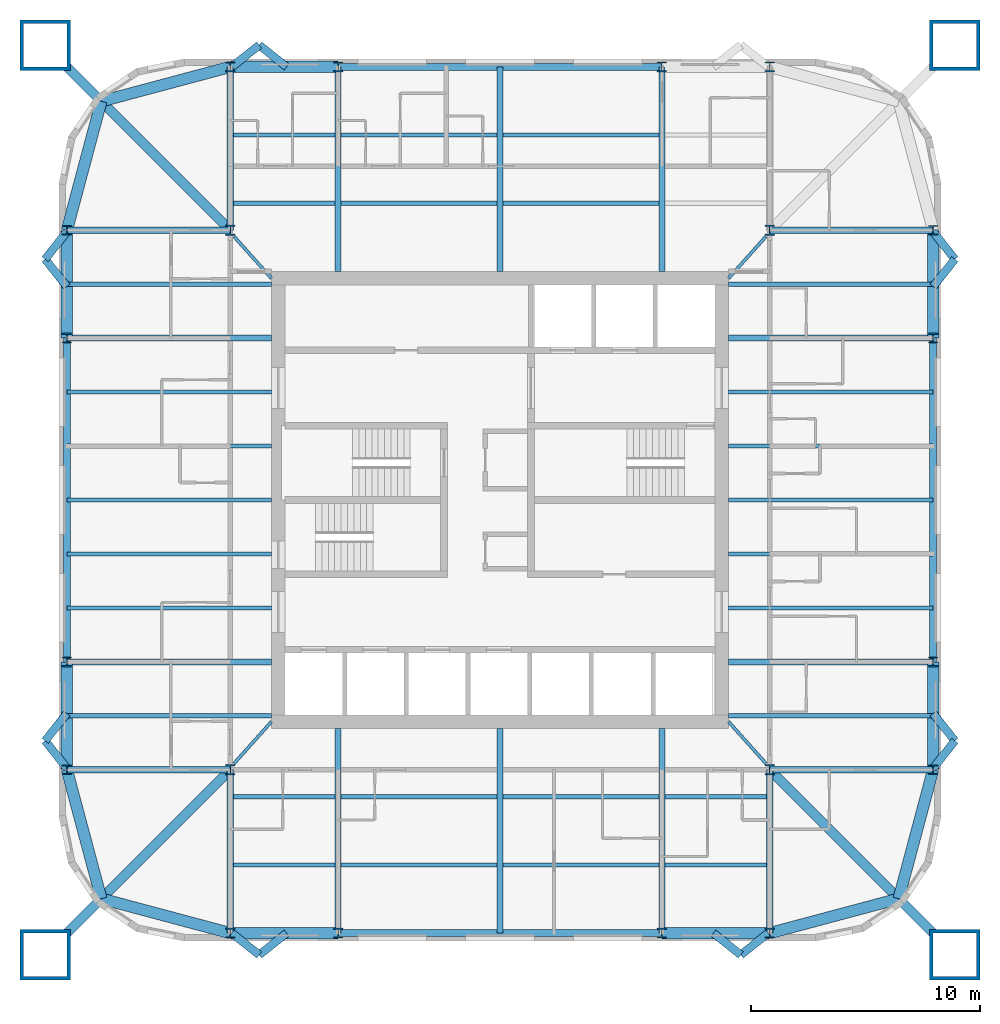
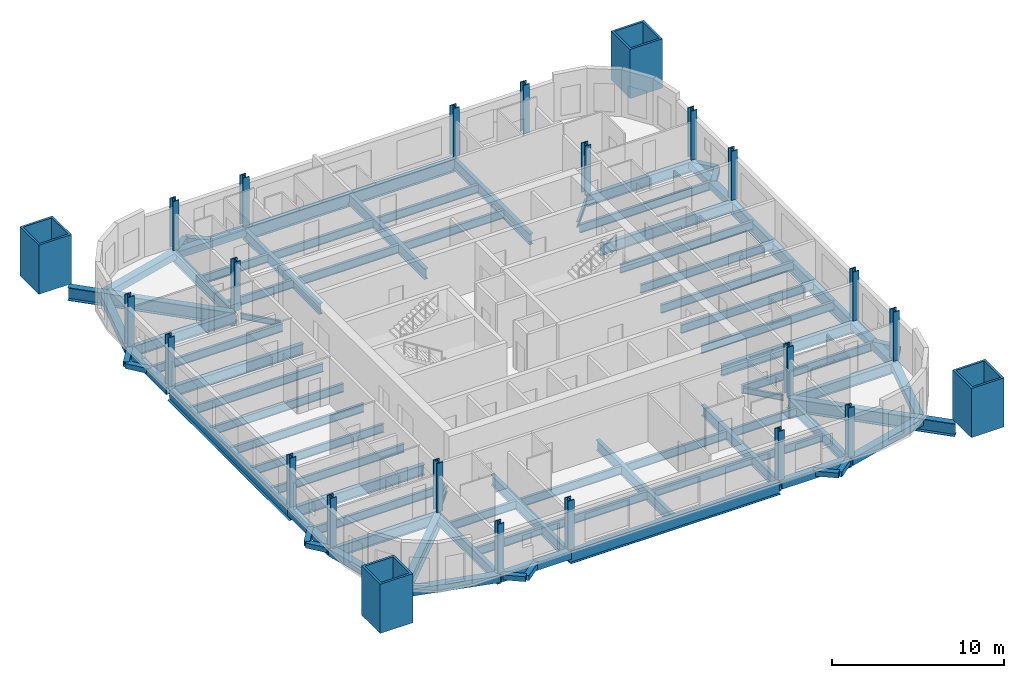
# One storey, part 1 of 9: 83 beams, 24 columns.
"""IFC4 building model written with IfcOpenShell, lengths in metres."""

from ifc_helpers import new_model, si_unit, direction, frame, origin, origin_2d, place, context, subcontext, project, spatial, hollow_rectangle, i_section, extrude, material, material_profile, profile_set, type_object, element, save


model = new_model("IFC4")

# Units and contexts
model_context = context("Model", 3, precision=1e-05, world=origin(), true_north=direction((0.0, 1.0)))
body_context = subcontext(model_context, "Body", "Model", "MODEL_VIEW")
ifc_project = project(units=[si_unit("LENGTHUNIT", "METRE"), si_unit("AREAUNIT", "SQUARE_METRE"), si_unit("VOLUMEUNIT", "CUBIC_METRE"), si_unit("PLANEANGLEUNIT", "RADIAN"), si_unit("MASSUNIT", "GRAM", prefix="KILO")], contexts=[model_context])

# Site, building, storey
site_placement = place(None, origin())
site = spatial("IfcSite", under=ifc_project, at=site_placement, CompositionType="ELEMENT")
building_placement = place(site_placement, origin())
building = spatial("IfcBuilding", under=site, at=building_placement, Name="Turquesa Mirador Hotel Tower", CompositionType="ELEMENT")
storey_placement = place(building_placement, frame((0.0, 0.0, 207.300048828125)))
storey = spatial("IfcBuildingStorey", under=building, at=storey_placement, Name="L56", CompositionType="ELEMENT", Elevation=207.300048828125)

# Columns
ifc_material_1 = material(Name="Steel ASTM A992 Grade 50", Category="steel")
ifc_material_profile_1 = material_profile(ifc_material_1, i_section(OverallWidth=0.411376953125, OverallDepth=0.434326171875, WebThickness=0.035888671875, FlangeThickness=0.057373046875, at=origin_2d()), Name="W14X311")
ifc_profile_set_1 = profile_set([ifc_material_profile_1], Name="Steel ASTM A992 Grade 50")
column_type_1 = type_object("IfcColumnType", Name="COLUMN W14X311", PredefinedType="COLUMN", material=ifc_profile_set_1)
for number, where, z_axis, x_axis, name in (
    (1, (36.050048828125, 33.199951171875, 0.0), (0.0, 0.0, 1.0), (1.0, 0.0, 0.0), "COL-L56-P--18.95--11.80"),
    (2, (36.050048828125, 37.919921875, 0.0), (0.0, 0.0, 1.0), (1.0, 0.0, 0.0), "COL-L56-P--18.95--7.08"),
    (3, (36.050048828125, 52.080078125, 0.0), (0.0, 0.0, 1.0), (1.0, 0.0, 0.0), "COL-L56-P--18.95-+7.08"),
    (4, (36.050048828125, 56.800048828125, 0.0), (0.0, 0.0, 1.0), (1.0, 0.0, 0.0), "COL-L56-P--18.95-+11.80"),
    (5, (43.199951171875, 26.050048828125, 0.0), (0.0, 0.0, 1.0), (1.0, 0.0, 0.0), "COL-L56-P--11.80--18.95"),
    (6, (43.199951171875, 63.949951171875, 0.0), (0.0, 0.0, 1.0), (1.0, 0.0, 0.0), "COL-L56-P--11.80-+18.95"),
    (7, (47.919921875, 26.050048828125, 0.0), (0.0, 0.0, 1.0), (1.0, 0.0, 0.0), "COL-L56-P--7.08--18.95"),
    (8, (47.919921875, 63.949951171875, 0.0), (0.0, 0.0, 1.0), (1.0, 0.0, 0.0), "COL-L56-P--7.08-+18.95"),
    (9, (62.080078125, 26.050048828125, 0.0), (0.0, 0.0, 1.0), (1.0, 0.0, 0.0), "COL-L56-P-+7.08--18.95"),
    (10, (62.080078125, 63.949951171875, 0.0), (0.0, 0.0, 1.0), (1.0, 0.0, 0.0), "COL-L56-P-+7.08-+18.95"),
    (11, (66.800048828125, 26.050048828125, 0.0), (0.0, 0.0, 1.0), (1.0, 0.0, 0.0), "COL-L56-P-+11.80--18.95"),
    (12, (66.800048828125, 63.949951171875, 0.0), (0.0, 0.0, 1.0), (1.0, 0.0, 0.0), "COL-L56-P-+11.80-+18.95"),
    (13, (73.949951171875, 33.199951171875, 0.0), (0.0, 0.0, 1.0), (1.0, 0.0, 0.0), "COL-L56-P-+18.95--11.80"),
    (14, (73.949951171875, 37.919921875, 0.0), (0.0, 0.0, 1.0), (1.0, 0.0, 0.0), "COL-L56-P-+18.95--7.08"),
    (15, (73.949951171875, 52.080078125, 0.0), (0.0, 0.0, 1.0), (1.0, 0.0, 0.0), "COL-L56-P-+18.95-+7.08"),
    (16, (73.949951171875, 56.800048828125, 0.0), (0.0, 0.0, 1.0), (1.0, 0.0, 0.0), "COL-L56-P-+18.95-+11.80"),
):
    element("IfcColumn", number, at=place(storey_placement, frame(where, z_axis=z_axis, x_axis=x_axis)), inside=storey, type_object=column_type_1, Name=name, PredefinedType="COLUMN", context=body_context, shape_type="SweptSolid", body=[
        extrude(i_section(OverallWidth=0.411376953125, OverallDepth=0.434326171875, WebThickness=0.035888671875, FlangeThickness=0.057373046875, at=origin_2d()), origin(), (0.0, 0.0, 1.0), 3.5),
    ])
ifc_material_2 = material(Name="Steel ASTM A992 Grade 50", Category="steel")
ifc_material_profile_2 = material_profile(ifc_material_2, i_section(OverallWidth=0.421630859375, OverallDepth=0.46484375, WebThickness=0.044921875, FlangeThickness=0.072509765625, at=origin_2d()), Name="W14X398")
ifc_profile_set_2 = profile_set([ifc_material_profile_2], Name="Steel ASTM A992 Grade 50")
column_type_2 = type_object("IfcColumnType", Name="COLUMN W14X398", PredefinedType="COLUMN", material=ifc_profile_set_2)
for number, where, z_axis, x_axis, name in (
    (17, (43.199951171875, 33.199951171875, 0.0), (0.0, 0.0, 1.0), (1.0, 0.0, 0.0), "COL-L56-K--11.80--11.80"),
    (18, (43.199951171875, 56.800048828125, 0.0), (0.0, 0.0, 1.0), (1.0, 0.0, 0.0), "COL-L56-K--11.80-+11.80"),
    (19, (66.800048828125, 33.199951171875, 0.0), (0.0, 0.0, 1.0), (1.0, 0.0, 0.0), "COL-L56-K-+11.80--11.80"),
    (20, (66.800048828125, 56.800048828125, 0.0), (0.0, 0.0, 1.0), (1.0, 0.0, 0.0), "COL-L56-K-+11.80-+11.80"),
):
    element("IfcColumn", number, at=place(storey_placement, frame(where, z_axis=z_axis, x_axis=x_axis)), inside=storey, type_object=column_type_2, Name=name, PredefinedType="COLUMN", context=body_context, shape_type="SweptSolid", body=[
        extrude(i_section(OverallWidth=0.421630859375, OverallDepth=0.46484375, WebThickness=0.044921875, FlangeThickness=0.072509765625, at=origin_2d()), origin(), (0.0, 0.0, 1.0), 3.5),
    ])
ifc_material_3 = material(Name="Steel ASTM A514 Grade Q", Category="steel")
ifc_material_profile_3 = material_profile(ifc_material_3, hollow_rectangle(XDim=2.199951171875, YDim=2.199951171875, WallThickness=0.14990234375, at=origin_2d()), Name="BOX2200X2200X150")
ifc_profile_set_3 = profile_set([ifc_material_profile_3], Name="Steel ASTM A514 Grade Q")
column_type_3 = type_object("IfcColumnType", Name="MEGA COLUMN BOX2200X2200X150", PredefinedType="COLUMN", material=ifc_profile_set_3)
for number, where, z_axis, x_axis, name in (
    (21, (74.89990234375, 64.89990234375, 0.0), (0.0, 0.0, 1.0), (1.0, 0.0, 0.0), "Mega column M1"),
    (22, (35.10009765625, 64.89990234375, 0.0), (0.0, 0.0, 1.0), (1.0, 0.0, 0.0), "Mega column M2"),
    (23, (35.10009765625, 25.10009765625, 0.0), (0.0, 0.0, 1.0), (1.0, 0.0, 0.0), "Mega column M3"),
    (24, (74.89990234375, 25.10009765625, 0.0), (0.0, 0.0, 1.0), (1.0, 0.0, 0.0), "Mega column M4"),
):
    element("IfcColumn", number, at=place(storey_placement, frame(where, z_axis=z_axis, x_axis=x_axis)), inside=storey, type_object=column_type_3, Name=name, PredefinedType="COLUMN", context=body_context, shape_type="SweptSolid", body=[
        extrude(hollow_rectangle(XDim=2.199951171875, YDim=2.199951171875, WallThickness=0.14990234375, at=origin_2d()), origin(), (0.0, 0.0, 1.0), 3.5),
    ])

# Beams
ifc_material_4 = material(Name="Steel ASTM A572 Grade 50", Category="steel")
ifc_material_profile_4 = material_profile(ifc_material_4, hollow_rectangle(XDim=0.5, YDim=0.5, WallThickness=0.01611328125, at=origin_2d()), Name="BOX500X500X16")
ifc_profile_set_4 = profile_set([ifc_material_profile_4], Name="Steel ASTM A572 Grade 50")
beam_type_1 = type_object("IfcBeamType", Name="BEAM BOX500X500X16", PredefinedType="BEAM", material=ifc_profile_set_4)
for number, where, z_axis, x_axis, name in (
    (25, (43.199951171875, 63.949951171875, -0.420166015625), (1.0, 0.0, 0.0), (0.0, 1.0, 0.0), "EB-L56-N-L"),
    (26, (43.199951171875, 26.050048828125, -0.420166015625), (1.0, 0.0, 0.0), (0.0, 1.0, 0.0), "EB-L56-S-L"),
    (27, (62.080078125, 26.050048828125, -0.420166015625), (1.0, 0.0, 0.0), (0.0, 1.0, 0.0), "EB-L56-S-R"),
    (28, (73.949951171875, 33.199951171875, -0.420166015625), (0.0, 1.0, 0.0), (-1.0, 0.0, 0.0), "EB-L56-E-L"),
    (29, (73.949951171875, 52.080078125, -0.420166015625), (0.0, 1.0, 0.0), (-1.0, 0.0, 0.0), "EB-L56-E-R"),
    (30, (36.050048828125, 33.199951171875, -0.420166015625), (0.0, 1.0, 0.0), (-1.0, 0.0, 0.0), "EB-L56-W-L"),
    (31, (36.050048828125, 52.080078125, -0.420166015625), (0.0, 1.0, 0.0), (-1.0, 0.0, 0.0), "EB-L56-W-R"),
):
    element("IfcBeam", number, at=place(storey_placement, frame(where, z_axis=z_axis, x_axis=x_axis)), inside=storey, type_object=beam_type_1, Name=name, PredefinedType="BEAM", context=body_context, shape_type="SweptSolid", body=[
        extrude(hollow_rectangle(XDim=0.5, YDim=0.5, WallThickness=0.01611328125, at=origin_2d()), origin(), (0.0, 0.0, 1.0), 4.719970703125),
    ])
for number, where, z_axis, x_axis, name in (
    (32, (36.050048828125, 56.800048828125, -0.420166015625), (0.258281892145, 0.966069595935, 0.0), (-0.966069595935, 0.258281892145, 0.0), "KE-L56-2-0"),
    (33, (37.558349609375, 62.441650390625, -0.420166015625), (0.966069595935, 0.258281892145, 0.0), (-0.258281892145, 0.966069595935, 0.0), "KE-L56-2-1"),
    (34, (36.050048828125, 33.199951171875, -0.420166015625), (0.258281892145, -0.966069595935, 0.0), (0.966069595935, 0.258281892145, 0.0), "KE-L56-3-0"),
    (35, (37.558349609375, 27.558349609375, -0.420166015625), (0.966069595935, -0.258281892145, 0.0), (0.258281892145, 0.966069595935, 0.0), "KE-L56-3-1"),
    (36, (73.949951171875, 33.199951171875, -0.420166015625), (-0.258281892145, -0.966069595935, 0.0), (0.966069595935, -0.258281892145, 0.0), "KE-L56-4-0"),
    (37, (72.441650390625, 27.558349609375, -0.420166015625), (-0.966069595935, -0.258281892145, 0.0), (0.258281892145, -0.966069595935, 0.0), "KE-L56-4-1"),
):
    element("IfcBeam", number, at=place(storey_placement, frame(where, z_axis=z_axis, x_axis=x_axis)), inside=storey, type_object=beam_type_1, Name=name, PredefinedType="BEAM", context=body_context, shape_type="SweptSolid", body=[
        extrude(hollow_rectangle(XDim=0.5, YDim=0.5, WallThickness=0.01611328125, at=origin_2d()), origin(), (0.0, 0.0, 1.0), 5.83984375),
    ])
ifc_material_5 = material(Name="Steel ASTM A992 Grade 50", Category="steel")
ifc_material_profile_5 = material_profile(ifc_material_5, i_section(OverallWidth=0.140380859375, OverallDepth=0.40380859375, WebThickness=0.007080078125, FlangeThickness=0.01123046875, at=origin_2d()), Name="W16X31")
ifc_profile_set_5 = profile_set([ifc_material_profile_5], Name="Steel ASTM A992 Grade 50")
beam_type_2 = type_object("IfcBeamType", Name="BEAM W16X31", PredefinedType="BEAM", material=ifc_profile_set_5)
for number, where, z_axis, x_axis, name in (
    (38, (66.634765625, 56.527099609375, -0.3720703125), (-0.666783216266, -0.745251730964, 0.0), (0.745251730964, -0.666783216266, 0.0), "KT-L56-1"),
    (39, (43.365234375, 56.527099609375, -0.3720703125), (0.666783216266, -0.745251730964, 0.0), (0.745251730964, 0.666783216266, 0.0), "KT-L56-2"),
    (40, (43.365234375, 33.472900390625, -0.3720703125), (0.666783216266, 0.745251730964, 0.0), (-0.745251730964, 0.666783216266, 0.0), "KT-L56-3"),
    (41, (66.634765625, 33.472900390625, -0.3720703125), (-0.666783216266, 0.745251730964, 0.0), (-0.745251730964, -0.666783216266, 0.0), "KT-L56-4"),
):
    element("IfcBeam", number, at=place(storey_placement, frame(where, z_axis=z_axis, x_axis=x_axis)), inside=storey, type_object=beam_type_2, Name=name, PredefinedType="BEAM", context=body_context, shape_type="SweptSolid", body=[
        extrude(i_section(OverallWidth=0.140380859375, OverallDepth=0.40380859375, WebThickness=0.007080078125, FlangeThickness=0.01123046875, at=origin_2d()), origin(), (0.0, 0.0, 1.0), 2.45166015625),
    ])
ifc_material_6 = material(Name="Steel ASTM A992 Grade 50", Category="steel")
ifc_material_profile_6 = material_profile(ifc_material_6, i_section(OverallWidth=0.177978515625, OverallDepth=0.599365234375, WebThickness=0.010009765625, FlangeThickness=0.012939453125, at=origin_2d()), Name="W24X55")
ifc_profile_set_6 = profile_set([ifc_material_profile_6], Name="Steel ASTM A992 Grade 50")
beam_type_3 = type_object("IfcBeamType", Name="BEAM W24X55", PredefinedType="BEAM", material=ifc_profile_set_6)
beam_1_placement = place(storey_placement, frame((43.333251953125, 57.98291015625, -0.4697265625), z_axis=(1.0, 0.0, 0.0), x_axis=(0.0, 1.0, 0.0)))
element("IfcBeam", 42, at=beam_1_placement, inside=storey, type_object=beam_type_3, Name="IB-L56-N-1-0", PredefinedType="BEAM", context=body_context, shape_type="SweptSolid", body=[
    extrude(i_section(OverallWidth=0.177978515625, OverallDepth=0.599365234375, WebThickness=0.010009765625, FlangeThickness=0.012939453125, at=origin_2d()), origin(), (0.0, 0.0, 1.0), 4.453369140625),
])
for number, where, z_axis, x_axis, name in (
    (43, (48.053466796875, 57.98291015625, -0.4697265625), (1.0, 0.0, 0.0), (0.0, 1.0, 0.0), "IB-L56-N-1-1"),
    (44, (55.13330078125, 57.98291015625, -0.4697265625), (1.0, 0.0, 0.0), (0.0, 1.0, 0.0), "IB-L56-N-1-2"),
):
    element("IfcBeam", number, at=place(storey_placement, frame(where, z_axis=z_axis, x_axis=x_axis)), inside=storey, type_object=beam_type_3, Name=name, PredefinedType="BEAM", context=body_context, shape_type="SweptSolid", body=[
        extrude(i_section(OverallWidth=0.177978515625, OverallDepth=0.599365234375, WebThickness=0.010009765625, FlangeThickness=0.012939453125, at=origin_2d()), origin(), (0.0, 0.0, 1.0), 6.813232421875),
    ])
beam_2_placement = place(storey_placement, frame((43.333251953125, 60.967041015625, -0.4697265625), z_axis=(1.0, 0.0, 0.0), x_axis=(0.0, 1.0, 0.0)))
element("IfcBeam", 45, at=beam_2_placement, inside=storey, type_object=beam_type_3, Name="IB-L56-N-2-0", PredefinedType="BEAM", context=body_context, shape_type="SweptSolid", body=[
    extrude(i_section(OverallWidth=0.177978515625, OverallDepth=0.599365234375, WebThickness=0.010009765625, FlangeThickness=0.012939453125, at=origin_2d()), origin(), (0.0, 0.0, 1.0), 4.453369140625),
])
for number, where, z_axis, x_axis, name in (
    (46, (48.053466796875, 60.967041015625, -0.4697265625), (1.0, 0.0, 0.0), (0.0, 1.0, 0.0), "IB-L56-N-2-1"),
    (47, (55.13330078125, 60.967041015625, -0.4697265625), (1.0, 0.0, 0.0), (0.0, 1.0, 0.0), "IB-L56-N-2-2"),
):
    element("IfcBeam", number, at=place(storey_placement, frame(where, z_axis=z_axis, x_axis=x_axis)), inside=storey, type_object=beam_type_3, Name=name, PredefinedType="BEAM", context=body_context, shape_type="SweptSolid", body=[
        extrude(i_section(OverallWidth=0.177978515625, OverallDepth=0.599365234375, WebThickness=0.010009765625, FlangeThickness=0.012939453125, at=origin_2d()), origin(), (0.0, 0.0, 1.0), 6.813232421875),
    ])
beam_3_placement = place(storey_placement, frame((43.333251953125, 32.01708984375, -0.4697265625), z_axis=(1.0, 0.0, 0.0), x_axis=(0.0, 1.0, 0.0)))
element("IfcBeam", 48, at=beam_3_placement, inside=storey, type_object=beam_type_3, Name="IB-L56-S-1-0", PredefinedType="BEAM", context=body_context, shape_type="SweptSolid", body=[
    extrude(i_section(OverallWidth=0.177978515625, OverallDepth=0.599365234375, WebThickness=0.010009765625, FlangeThickness=0.012939453125, at=origin_2d()), origin(), (0.0, 0.0, 1.0), 4.453369140625),
])
for number, where, z_axis, x_axis, name in (
    (49, (48.053466796875, 32.01708984375, -0.4697265625), (1.0, 0.0, 0.0), (0.0, 1.0, 0.0), "IB-L56-S-1-1"),
    (50, (55.13330078125, 32.01708984375, -0.4697265625), (1.0, 0.0, 0.0), (0.0, 1.0, 0.0), "IB-L56-S-1-2"),
):
    element("IfcBeam", number, at=place(storey_placement, frame(where, z_axis=z_axis, x_axis=x_axis)), inside=storey, type_object=beam_type_3, Name=name, PredefinedType="BEAM", context=body_context, shape_type="SweptSolid", body=[
        extrude(i_section(OverallWidth=0.177978515625, OverallDepth=0.599365234375, WebThickness=0.010009765625, FlangeThickness=0.012939453125, at=origin_2d()), origin(), (0.0, 0.0, 1.0), 6.813232421875),
    ])
for number, where, z_axis, x_axis, name in (
    (51, (62.21337890625, 32.01708984375, -0.4697265625), (1.0, 0.0, 0.0), (0.0, 1.0, 0.0), "IB-L56-S-1-3"),
    (52, (43.333251953125, 29.032958984375, -0.4697265625), (1.0, 0.0, 0.0), (0.0, 1.0, 0.0), "IB-L56-S-2-0"),
):
    element("IfcBeam", number, at=place(storey_placement, frame(where, z_axis=z_axis, x_axis=x_axis)), inside=storey, type_object=beam_type_3, Name=name, PredefinedType="BEAM", context=body_context, shape_type="SweptSolid", body=[
        extrude(i_section(OverallWidth=0.177978515625, OverallDepth=0.599365234375, WebThickness=0.010009765625, FlangeThickness=0.012939453125, at=origin_2d()), origin(), (0.0, 0.0, 1.0), 4.453369140625),
    ])
for number, where, z_axis, x_axis, name in (
    (53, (48.053466796875, 29.032958984375, -0.4697265625), (1.0, 0.0, 0.0), (0.0, 1.0, 0.0), "IB-L56-S-2-1"),
    (54, (55.13330078125, 29.032958984375, -0.4697265625), (1.0, 0.0, 0.0), (0.0, 1.0, 0.0), "IB-L56-S-2-2"),
):
    element("IfcBeam", number, at=place(storey_placement, frame(where, z_axis=z_axis, x_axis=x_axis)), inside=storey, type_object=beam_type_3, Name=name, PredefinedType="BEAM", context=body_context, shape_type="SweptSolid", body=[
        extrude(i_section(OverallWidth=0.177978515625, OverallDepth=0.599365234375, WebThickness=0.010009765625, FlangeThickness=0.012939453125, at=origin_2d()), origin(), (0.0, 0.0, 1.0), 6.813232421875),
    ])
beam_4_placement = place(storey_placement, frame((62.21337890625, 29.032958984375, -0.4697265625), z_axis=(1.0, 0.0, 0.0), x_axis=(0.0, 1.0, 0.0)))
element("IfcBeam", 55, at=beam_4_placement, inside=storey, type_object=beam_type_3, Name="IB-L56-S-2-3", PredefinedType="BEAM", context=body_context, shape_type="SweptSolid", body=[
    extrude(i_section(OverallWidth=0.177978515625, OverallDepth=0.599365234375, WebThickness=0.010009765625, FlangeThickness=0.012939453125, at=origin_2d()), origin(), (0.0, 0.0, 1.0), 4.453369140625),
])
for number, where, z_axis, x_axis, name in (
    (56, (73.949951171875, 35.56005859375, -0.4697265625), (-1.0, 0.0, 0.0), (0.0, -1.0, 0.0), "BM-L56-E--9.44"),
    (57, (73.949951171875, 40.280029296875, -0.4697265625), (-1.0, 0.0, 0.0), (0.0, -1.0, 0.0), "BM-L56-E--4.72"),
    (58, (73.949951171875, 42.639892578125, -0.4697265625), (-1.0, 0.0, 0.0), (0.0, -1.0, 0.0), "BM-L56-E--2.36"),
    (59, (73.949951171875, 45.0, -0.4697265625), (-1.0, 0.0, 0.0), (0.0, -1.0, 0.0), "BM-L56-E-+0.00"),
    (60, (73.949951171875, 47.360107421875, -0.4697265625), (-1.0, 0.0, 0.0), (0.0, -1.0, 0.0), "BM-L56-E-+2.36"),
    (61, (73.949951171875, 49.719970703125, -0.4697265625), (-1.0, 0.0, 0.0), (0.0, -1.0, 0.0), "BM-L56-E-+4.72"),
    (62, (73.949951171875, 54.43994140625, -0.4697265625), (-1.0, 0.0, 0.0), (0.0, -1.0, 0.0), "BM-L56-E-+9.44"),
    (63, (36.050048828125, 35.56005859375, -0.4697265625), (1.0, 0.0, 0.0), (0.0, 1.0, 0.0), "BM-L56-W--9.44"),
    (64, (36.050048828125, 40.280029296875, -0.4697265625), (1.0, 0.0, 0.0), (0.0, 1.0, 0.0), "BM-L56-W--4.72"),
    (65, (36.050048828125, 42.639892578125, -0.4697265625), (1.0, 0.0, 0.0), (0.0, 1.0, 0.0), "BM-L56-W--2.36"),
    (66, (36.050048828125, 45.0, -0.4697265625), (1.0, 0.0, 0.0), (0.0, 1.0, 0.0), "BM-L56-W-+0.00"),
    (67, (36.050048828125, 47.360107421875, -0.4697265625), (1.0, 0.0, 0.0), (0.0, 1.0, 0.0), "BM-L56-W-+2.36"),
    (68, (36.050048828125, 49.719970703125, -0.4697265625), (1.0, 0.0, 0.0), (0.0, 1.0, 0.0), "BM-L56-W-+4.72"),
    (69, (36.050048828125, 54.43994140625, -0.4697265625), (1.0, 0.0, 0.0), (0.0, 1.0, 0.0), "BM-L56-W-+9.44"),
):
    element("IfcBeam", number, at=place(storey_placement, frame(where, z_axis=z_axis, x_axis=x_axis)), inside=storey, type_object=beam_type_3, Name=name, PredefinedType="BEAM", context=body_context, shape_type="SweptSolid", body=[
        extrude(i_section(OverallWidth=0.177978515625, OverallDepth=0.599365234375, WebThickness=0.010009765625, FlangeThickness=0.012939453125, at=origin_2d()), origin(), (0.0, 0.0, 1.0), 8.949951171875),
    ])
ifc_material_7 = material(Name="Steel ASTM A992 Grade 50", Category="steel")
ifc_material_profile_7 = material_profile(ifc_material_7, i_section(OverallWidth=0.2666015625, OverallDepth=0.7568359375, WebThickness=0.013916015625, FlangeThickness=0.019287109375, at=origin_2d()), Name="W30X108")
ifc_profile_set_7 = profile_set([ifc_material_profile_7], Name="Steel ASTM A992 Grade 50")
beam_type_4 = type_object("IfcBeamType", Name="BEAM W30X108", PredefinedType="BEAM", material=ifc_profile_set_7)
for number, where, z_axis, x_axis, name in (
    (70, (47.919921875, 63.949951171875, -0.548583984375), (0.0, -1.0, 0.0), (1.0, 0.0, 0.0), "GD-L56-N--7.08"),
    (71, (62.080078125, 63.949951171875, -0.548583984375), (0.0, -1.0, 0.0), (1.0, 0.0, 0.0), "GD-L56-N-+7.08"),
    (72, (55.0, 63.949951171875, -0.548583984375), (0.0, -1.0, 0.0), (1.0, 0.0, 0.0), "GD-L56-N-+0.00"),
):
    element("IfcBeam", number, at=place(storey_placement, frame(where, z_axis=z_axis, x_axis=x_axis)), inside=storey, type_object=beam_type_4, Name=name, PredefinedType="BEAM", context=body_context, shape_type="SweptSolid", body=[
        extrude(i_section(OverallWidth=0.2666015625, OverallDepth=0.7568359375, WebThickness=0.013916015625, FlangeThickness=0.019287109375, at=origin_2d()), origin(), (0.0, 0.0, 1.0), 8.949951171875),
    ])
beam_5_placement = place(storey_placement, frame((43.199951171875, 63.949951171875, -0.548583984375), z_axis=(0.0, -1.0, 0.0), x_axis=(1.0, 0.0, 0.0)))
element("IfcBeam", 73, at=beam_5_placement, inside=storey, type_object=beam_type_4, Name="GK-L56-N--11.80", PredefinedType="BEAM", context=body_context, shape_type="SweptSolid", body=[
    extrude(i_section(OverallWidth=0.2666015625, OverallDepth=0.7568359375, WebThickness=0.013916015625, FlangeThickness=0.019287109375, at=origin_2d()), origin(), (0.0, 0.0, 1.0), 7.14990234375),
])
for number, where, z_axis, x_axis, name in (
    (74, (47.919921875, 26.050048828125, -0.548583984375), (0.0, 1.0, 0.0), (-1.0, 0.0, 0.0), "GD-L56-S--7.08"),
    (75, (62.080078125, 26.050048828125, -0.548583984375), (0.0, 1.0, 0.0), (-1.0, 0.0, 0.0), "GD-L56-S-+7.08"),
    (76, (55.0, 26.050048828125, -0.548583984375), (0.0, 1.0, 0.0), (-1.0, 0.0, 0.0), "GD-L56-S-+0.00"),
):
    element("IfcBeam", number, at=place(storey_placement, frame(where, z_axis=z_axis, x_axis=x_axis)), inside=storey, type_object=beam_type_4, Name=name, PredefinedType="BEAM", context=body_context, shape_type="SweptSolid", body=[
        extrude(i_section(OverallWidth=0.2666015625, OverallDepth=0.7568359375, WebThickness=0.013916015625, FlangeThickness=0.019287109375, at=origin_2d()), origin(), (0.0, 0.0, 1.0), 8.949951171875),
    ])
for number, where, z_axis, x_axis, name in (
    (77, (43.199951171875, 26.050048828125, -0.548583984375), (0.0, 1.0, 0.0), (-1.0, 0.0, 0.0), "GK-L56-S--11.80"),
    (78, (66.800048828125, 26.050048828125, -0.548583984375), (0.0, 1.0, 0.0), (-1.0, 0.0, 0.0), "GK-L56-S-+11.80"),
):
    element("IfcBeam", number, at=place(storey_placement, frame(where, z_axis=z_axis, x_axis=x_axis)), inside=storey, type_object=beam_type_4, Name=name, PredefinedType="BEAM", context=body_context, shape_type="SweptSolid", body=[
        extrude(i_section(OverallWidth=0.2666015625, OverallDepth=0.7568359375, WebThickness=0.013916015625, FlangeThickness=0.019287109375, at=origin_2d()), origin(), (0.0, 0.0, 1.0), 7.14990234375),
    ])
for number, where, z_axis, x_axis, name in (
    (79, (73.949951171875, 37.919921875, -0.548583984375), (-1.0, 0.0, 0.0), (0.0, -1.0, 0.0), "GD-L56-E--7.08"),
    (80, (73.949951171875, 52.080078125, -0.548583984375), (-1.0, 0.0, 0.0), (0.0, -1.0, 0.0), "GD-L56-E-+7.08"),
):
    element("IfcBeam", number, at=place(storey_placement, frame(where, z_axis=z_axis, x_axis=x_axis)), inside=storey, type_object=beam_type_4, Name=name, PredefinedType="BEAM", context=body_context, shape_type="SweptSolid", body=[
        extrude(i_section(OverallWidth=0.2666015625, OverallDepth=0.7568359375, WebThickness=0.013916015625, FlangeThickness=0.019287109375, at=origin_2d()), origin(), (0.0, 0.0, 1.0), 8.949951171875),
    ])
for number, where, z_axis, x_axis, name in (
    (81, (73.949951171875, 33.199951171875, -0.548583984375), (-1.0, 0.0, 0.0), (0.0, -1.0, 0.0), "GK-L56-E--11.80"),
    (82, (73.949951171875, 56.800048828125, -0.548583984375), (-1.0, 0.0, 0.0), (0.0, -1.0, 0.0), "GK-L56-E-+11.80"),
):
    element("IfcBeam", number, at=place(storey_placement, frame(where, z_axis=z_axis, x_axis=x_axis)), inside=storey, type_object=beam_type_4, Name=name, PredefinedType="BEAM", context=body_context, shape_type="SweptSolid", body=[
        extrude(i_section(OverallWidth=0.2666015625, OverallDepth=0.7568359375, WebThickness=0.013916015625, FlangeThickness=0.019287109375, at=origin_2d()), origin(), (0.0, 0.0, 1.0), 7.14990234375),
    ])
for number, where, z_axis, x_axis, name in (
    (83, (36.050048828125, 37.919921875, -0.548583984375), (1.0, 0.0, 0.0), (0.0, 1.0, 0.0), "GD-L56-W--7.08"),
    (84, (36.050048828125, 52.080078125, -0.548583984375), (1.0, 0.0, 0.0), (0.0, 1.0, 0.0), "GD-L56-W-+7.08"),
):
    element("IfcBeam", number, at=place(storey_placement, frame(where, z_axis=z_axis, x_axis=x_axis)), inside=storey, type_object=beam_type_4, Name=name, PredefinedType="BEAM", context=body_context, shape_type="SweptSolid", body=[
        extrude(i_section(OverallWidth=0.2666015625, OverallDepth=0.7568359375, WebThickness=0.013916015625, FlangeThickness=0.019287109375, at=origin_2d()), origin(), (0.0, 0.0, 1.0), 8.949951171875),
    ])
for number, where, z_axis, x_axis, name in (
    (85, (36.050048828125, 33.199951171875, -0.548583984375), (1.0, 0.0, 0.0), (0.0, 1.0, 0.0), "GK-L56-W--11.80"),
    (86, (36.050048828125, 56.800048828125, -0.548583984375), (1.0, 0.0, 0.0), (0.0, 1.0, 0.0), "GK-L56-W-+11.80"),
):
    element("IfcBeam", number, at=place(storey_placement, frame(where, z_axis=z_axis, x_axis=x_axis)), inside=storey, type_object=beam_type_4, Name=name, PredefinedType="BEAM", context=body_context, shape_type="SweptSolid", body=[
        extrude(i_section(OverallWidth=0.2666015625, OverallDepth=0.7568359375, WebThickness=0.013916015625, FlangeThickness=0.019287109375, at=origin_2d()), origin(), (0.0, 0.0, 1.0), 7.14990234375),
    ])
ifc_material_8 = material(Name="Steel ASTM A992 Grade 50", Category="steel")
ifc_material_profile_8 = material_profile(ifc_material_8, i_section(OverallWidth=0.3046875, OverallDepth=0.911865234375, WebThickness=0.015869140625, FlangeThickness=0.02392578125, at=origin_2d()), Name="W36X150")
ifc_profile_set_8 = profile_set([ifc_material_profile_8], Name="Steel ASTM A992 Grade 50")
beam_type_5 = type_object("IfcBeamType", Name="BEAM W36X150", PredefinedType="BEAM", material=ifc_profile_set_8)
for number, where, z_axis, x_axis, name in (
    (87, (47.919921875, 63.949951171875, -0.6259765625), (1.0, 0.0, 0.0), (0.0, 1.0, 0.0), "EB-L56-N-C"),
    (88, (47.919921875, 26.050048828125, -0.6259765625), (1.0, 0.0, 0.0), (0.0, 1.0, 0.0), "EB-L56-S-C"),
    (89, (73.949951171875, 37.919921875, -0.6259765625), (0.0, 1.0, 0.0), (-1.0, 0.0, 0.0), "EB-L56-E-C"),
    (90, (36.050048828125, 37.919921875, -0.6259765625), (0.0, 1.0, 0.0), (-1.0, 0.0, 0.0), "EB-L56-W-C"),
):
    element("IfcBeam", number, at=place(storey_placement, frame(where, z_axis=z_axis, x_axis=x_axis)), inside=storey, type_object=beam_type_5, Name=name, PredefinedType="BEAM", context=body_context, shape_type="SweptSolid", body=[
        extrude(i_section(OverallWidth=0.3046875, OverallDepth=0.911865234375, WebThickness=0.015869140625, FlangeThickness=0.02392578125, at=origin_2d()), origin(), (0.0, 0.0, 1.0), 14.16015625),
    ])
ifc_material_9 = material(Name="Steel ASTM A992 Grade 50", Category="steel")
ifc_material_profile_9 = material_profile(ifc_material_9, i_section(OverallWidth=0.419189453125, OverallDepth=0.927001953125, WebThickness=0.019287109375, FlangeThickness=0.031982421875, at=origin_2d()), Name="W36X231")
ifc_profile_set_9 = profile_set([ifc_material_profile_9], Name="Steel ASTM A992 Grade 50")
beam_type_6 = type_object("IfcBeamType", Name="BEAM W36X231", PredefinedType="BEAM", material=ifc_profile_set_9)
for number, where, z_axis, x_axis, name in (
    (91, (43.199951171875, 56.800048828125, -0.633544921875), (-0.707106781187, 0.707106781187, 0.0), (-0.707106781187, -0.707106781187, 0.0), "KD-L56-2"),
    (92, (43.199951171875, 33.199951171875, -0.633544921875), (-0.707106781187, -0.707106781187, 0.0), (0.707106781187, -0.707106781187, 0.0), "KD-L56-3"),
    (93, (66.800048828125, 33.199951171875, -0.633544921875), (0.707106781187, -0.707106781187, 0.0), (0.707106781187, 0.707106781187, 0.0), "KD-L56-4"),
):
    element("IfcBeam", number, at=place(storey_placement, frame(where, z_axis=z_axis, x_axis=x_axis)), inside=storey, type_object=beam_type_6, Name=name, PredefinedType="BEAM", context=body_context, shape_type="SweptSolid", body=[
        extrude(i_section(OverallWidth=0.419189453125, OverallDepth=0.927001953125, WebThickness=0.019287109375, FlangeThickness=0.031982421875, at=origin_2d()), origin(), (0.0, 0.0, 1.0), 10.080322265625),
    ])
ifc_material_10 = material(Name="Steel ASTM A500 Grade C", Category="steel")
ifc_material_profile_10 = material_profile(ifc_material_10, hollow_rectangle(XDim=0.355712890625, YDim=0.355712890625, WallThickness=0.0146484375, at=origin_2d()), Name="HSS14X14X5/8")
ifc_profile_set_10 = profile_set([ifc_material_profile_10], Name="Steel ASTM A500 Grade C")
beam_type_7 = type_object("IfcBeamType", Name="BRACE STRUT HSS14X14X5/8", PredefinedType="BEAM", material=ifc_profile_set_10)
beam_6_placement = place(storey_placement, frame((44.464599609375, 64.89990234375, -0.347900390625), z_axis=(-0.784049059149, -0.620698858423, 0.0), x_axis=(0.620698858423, -0.784049059149, 0.0)))
element("IfcBeam", 94, at=beam_6_placement, inside=storey, type_object=beam_type_7, Name="Brace strut", PredefinedType="BEAM", context=body_context, shape_type="SweptSolid", body=[
    extrude(hollow_rectangle(XDim=0.355712890625, YDim=0.355712890625, WallThickness=0.0146484375, at=origin_2d()), origin(), (0.0, 0.0, 1.0), 1.530517578125),
])
for number, where, z_axis, x_axis, name in (
    (95, (44.464599609375, 64.89990234375, -0.347900390625), (0.784110506071, -0.620621232531, 0.0), (0.620621232531, 0.784110506071, 0.0), "Brace strut"),
    (96, (65.535400390625, 25.10009765625, -0.347900390625), (-0.784110506071, 0.620621232531, 0.0), (-0.620621232531, -0.784110506071, 0.0), "Brace strut"),
):
    element("IfcBeam", number, at=place(storey_placement, frame(where, z_axis=z_axis, x_axis=x_axis)), inside=storey, type_object=beam_type_7, Name=name, PredefinedType="BEAM", context=body_context, shape_type="SweptSolid", body=[
        extrude(hollow_rectangle(XDim=0.355712890625, YDim=0.355712890625, WallThickness=0.0146484375, at=origin_2d()), origin(), (0.0, 0.0, 1.0), 1.53076171875),
    ])
for number, where, z_axis, x_axis, name in (
    (97, (65.535400390625, 25.10009765625, -0.347900390625), (0.784049059149, 0.620698858423, 0.0), (-0.620698858423, 0.784049059149, 0.0), "Brace strut"),
    (98, (44.464599609375, 25.10009765625, -0.347900390625), (-0.784049059149, 0.620698858423, 0.0), (-0.620698858423, -0.784049059149, 0.0), "Brace strut"),
):
    element("IfcBeam", number, at=place(storey_placement, frame(where, z_axis=z_axis, x_axis=x_axis)), inside=storey, type_object=beam_type_7, Name=name, PredefinedType="BEAM", context=body_context, shape_type="SweptSolid", body=[
        extrude(hollow_rectangle(XDim=0.355712890625, YDim=0.355712890625, WallThickness=0.0146484375, at=origin_2d()), origin(), (0.0, 0.0, 1.0), 1.530517578125),
    ])
for number, where, z_axis, x_axis, name in (
    (99, (44.464599609375, 25.10009765625, -0.347900390625), (0.784110506071, 0.620621232531, 0.0), (-0.620621232531, 0.784110506071, 0.0), "Brace strut"),
    (100, (74.89990234375, 55.535400390625, -0.347900390625), (-0.620621232531, -0.784110506071, 0.0), (0.784110506071, -0.620621232531, 0.0), "Brace strut"),
):
    element("IfcBeam", number, at=place(storey_placement, frame(where, z_axis=z_axis, x_axis=x_axis)), inside=storey, type_object=beam_type_7, Name=name, PredefinedType="BEAM", context=body_context, shape_type="SweptSolid", body=[
        extrude(hollow_rectangle(XDim=0.355712890625, YDim=0.355712890625, WallThickness=0.0146484375, at=origin_2d()), origin(), (0.0, 0.0, 1.0), 1.53076171875),
    ])
for number, where, z_axis, x_axis, name in (
    (101, (74.89990234375, 55.535400390625, -0.347900390625), (-0.620698858423, 0.784049059149, 0.0), (-0.784049059149, -0.620698858423, 0.0), "Brace strut"),
    (102, (74.89990234375, 34.464599609375, -0.347900390625), (-0.620698858423, -0.784049059149, 0.0), (0.784049059149, -0.620698858423, 0.0), "Brace strut"),
):
    element("IfcBeam", number, at=place(storey_placement, frame(where, z_axis=z_axis, x_axis=x_axis)), inside=storey, type_object=beam_type_7, Name=name, PredefinedType="BEAM", context=body_context, shape_type="SweptSolid", body=[
        extrude(hollow_rectangle(XDim=0.355712890625, YDim=0.355712890625, WallThickness=0.0146484375, at=origin_2d()), origin(), (0.0, 0.0, 1.0), 1.530517578125),
    ])
for number, where, z_axis, x_axis, name in (
    (103, (74.89990234375, 34.464599609375, -0.347900390625), (-0.620621232531, 0.784110506071, 0.0), (-0.784110506071, -0.620621232531, 0.0), "Brace strut"),
    (104, (35.10009765625, 55.535400390625, -0.347900390625), (0.620621232531, -0.784110506071, 0.0), (0.784110506071, 0.620621232531, 0.0), "Brace strut"),
):
    element("IfcBeam", number, at=place(storey_placement, frame(where, z_axis=z_axis, x_axis=x_axis)), inside=storey, type_object=beam_type_7, Name=name, PredefinedType="BEAM", context=body_context, shape_type="SweptSolid", body=[
        extrude(hollow_rectangle(XDim=0.355712890625, YDim=0.355712890625, WallThickness=0.0146484375, at=origin_2d()), origin(), (0.0, 0.0, 1.0), 1.53076171875),
    ])
for number, where, z_axis, x_axis, name in (
    (105, (35.10009765625, 55.535400390625, -0.347900390625), (0.620698858423, 0.784049059149, 0.0), (-0.784049059149, 0.620698858423, 0.0), "Brace strut"),
    (106, (35.10009765625, 34.464599609375, -0.347900390625), (0.620698858423, -0.784049059149, 0.0), (0.784049059149, 0.620698858423, 0.0), "Brace strut"),
):
    element("IfcBeam", number, at=place(storey_placement, frame(where, z_axis=z_axis, x_axis=x_axis)), inside=storey, type_object=beam_type_7, Name=name, PredefinedType="BEAM", context=body_context, shape_type="SweptSolid", body=[
        extrude(hollow_rectangle(XDim=0.355712890625, YDim=0.355712890625, WallThickness=0.0146484375, at=origin_2d()), origin(), (0.0, 0.0, 1.0), 1.530517578125),
    ])
beam_7_placement = place(storey_placement, frame((35.10009765625, 34.464599609375, -0.347900390625), z_axis=(0.620621232531, 0.784110506071, 0.0), x_axis=(-0.784110506071, 0.620621232531, 0.0)))
element("IfcBeam", 107, at=beam_7_placement, inside=storey, type_object=beam_type_7, Name="Brace strut", PredefinedType="BEAM", context=body_context, shape_type="SweptSolid", body=[
    extrude(hollow_rectangle(XDim=0.355712890625, YDim=0.355712890625, WallThickness=0.0146484375, at=origin_2d()), origin(), (0.0, 0.0, 1.0), 1.53076171875),
])

save(model, "model.ifc")
